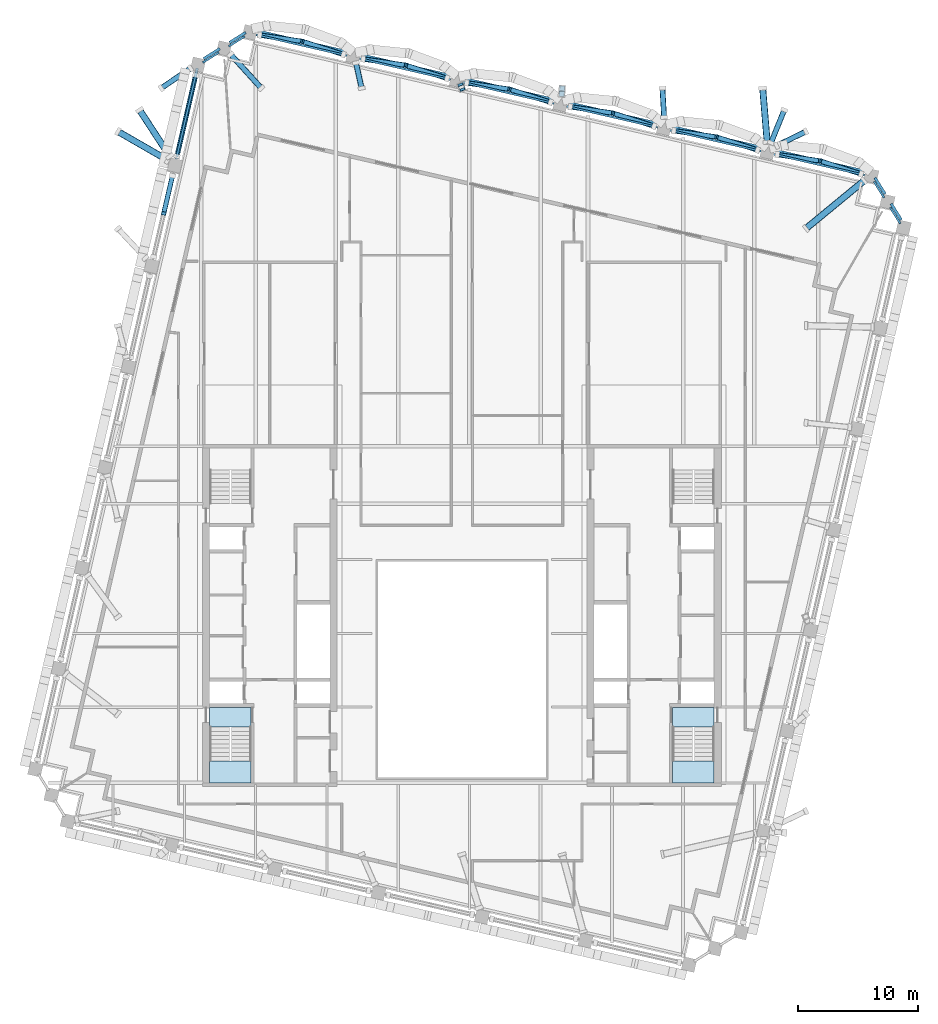
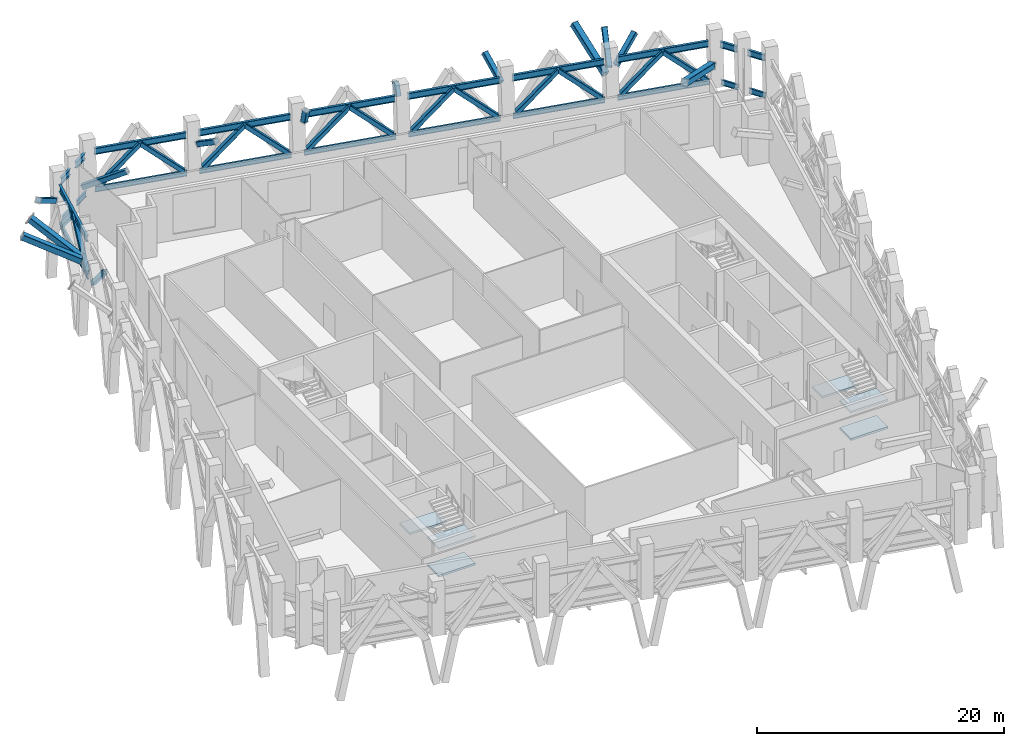
# One storey, part 4 of 19: 27 members, 22 beams, 6 slabs, 2 elements without a shape of their own.
"""IFC4 building model written with IfcOpenShell, lengths in metres."""

from ifc_helpers import new_model, si_unit, direction, frame, origin, origin_2d, place, context, subcontext, project, spatial, polyline, hollow_rectangle, i_section, outline, extrude, material, layer, layer_set, material_profile, profile_set, type_object, element, aggregate, save


model = new_model("IFC4")

# Units and contexts
model_context = context("Model", 3, precision=1e-05, world=origin(), true_north=direction((0.0, 1.0)))
body_context = subcontext(model_context, "Body", "Model", "MODEL_VIEW")
ifc_project = project(units=[si_unit("LENGTHUNIT", "METRE"), si_unit("AREAUNIT", "SQUARE_METRE"), si_unit("VOLUMEUNIT", "CUBIC_METRE"), si_unit("PLANEANGLEUNIT", "RADIAN"), si_unit("MASSUNIT", "GRAM", prefix="KILO")], contexts=[model_context])

# Site, building, storey
site_placement = place(None, origin())
site = spatial("IfcSite", under=ifc_project, at=site_placement, CompositionType="ELEMENT")
building_placement = place(site_placement, origin())
building = spatial("IfcBuilding", under=site, at=building_placement, Name="Ogive Exchange Tower", CompositionType="ELEMENT")
storey_placement = place(building_placement, frame((0.0, 0.0, 297.60009765625)))
storey = spatial("IfcBuildingStorey", under=building, at=storey_placement, Name="L65", CompositionType="ELEMENT", Elevation=297.60009765625)

# Beams
ifc_material_1 = material(Name="Steel ASTM A992 Gr50", Category="steel")
ifc_material_profile_1 = material_profile(ifc_material_1, i_section(OverallWidth=0.1669921875, OverallDepth=0.535888671875, WebThickness=0.01025390625, FlangeThickness=0.0166015625, at=origin_2d()), Name="W530x85")
ifc_profile_set_1 = profile_set([ifc_material_profile_1], Name="Steel ASTM A992 Gr50")
beam_type_1 = type_object("IfcBeamType", Name="Belt truss bottom chord W530x85", PredefinedType="BEAM", material=ifc_profile_set_1)
beam_1_placement = place(storey_placement, frame((36.5126953125, 44.126708984375, 0.39990234375), z_axis=(-0.529971331567, 0.848015558653, 0.0), x_axis=(-0.848015558653, -0.529971331567, 0.0)))
element("IfcBeam", 1, at=beam_1_placement, inside=storey, type_object=beam_type_1, Name="Belt truss bottom chord 16", PredefinedType="BEAM", context=body_context, shape_type="SweptSolid", body=[
    extrude(i_section(OverallWidth=0.1669921875, OverallDepth=0.535888671875, WebThickness=0.01025390625, FlangeThickness=0.0166015625, at=origin_2d()), origin(), (0.0, 0.0, 1.0), 1.58984375),
])
beam_2_placement = place(storey_placement, frame((35.163818359375, 46.285400390625, 0.39990234375), z_axis=(-0.529902320601, 0.848058683477, 0.0), x_axis=(-0.848058683477, -0.529902320601, 0.0)))
element("IfcBeam", 2, at=beam_2_placement, inside=storey, type_object=beam_type_1, Name="Belt truss bottom chord 17", PredefinedType="BEAM", context=body_context, shape_type="SweptSolid", body=[
    extrude(i_section(OverallWidth=0.1669921875, OverallDepth=0.535888671875, WebThickness=0.01025390625, FlangeThickness=0.0166015625, at=origin_2d()), origin(), (0.0, 0.0, 1.0), 1.590087890625),
])
beam_3_placement = place(storey_placement, frame((33.551513671875, 48.158203125, 0.39990234375), z_axis=(-0.974374818602, 0.224930462307, 0.0), x_axis=(-0.224930462307, -0.974374818602, 0.0)))
element("IfcBeam", 3, at=beam_3_placement, inside=storey, type_object=beam_type_1, Name="Belt truss bottom chord 18", PredefinedType="BEAM", context=body_context, shape_type="SweptSolid", body=[
    extrude(i_section(OverallWidth=0.1669921875, OverallDepth=0.535888671875, WebThickness=0.01025390625, FlangeThickness=0.0166015625, at=origin_2d()), origin(), (0.0, 0.0, 1.0), 7.7900390625),
])
beam_4_placement = place(storey_placement, frame((24.928466796875, 50.14892578125, 0.39990234375), z_axis=(-0.974369535382, 0.224953347431, 0.0), x_axis=(-0.224953347431, -0.974369535382, 0.0)))
element("IfcBeam", 4, at=beam_4_placement, inside=storey, type_object=beam_type_1, Name="Belt truss bottom chord 19", PredefinedType="BEAM", context=body_context, shape_type="SweptSolid", body=[
    extrude(i_section(OverallWidth=0.1669921875, OverallDepth=0.535888671875, WebThickness=0.01025390625, FlangeThickness=0.0166015625, at=origin_2d()), origin(), (0.0, 0.0, 1.0), 7.790283203125),
])
beam_5_placement = place(storey_placement, frame((16.30517578125, 52.139892578125, 0.39990234375), z_axis=(-0.974374818602, 0.224930462307, 0.0), x_axis=(-0.224930462307, -0.974374818602, 0.0)))
element("IfcBeam", 5, at=beam_5_placement, inside=storey, type_object=beam_type_1, Name="Belt truss bottom chord 20", PredefinedType="BEAM", context=body_context, shape_type="SweptSolid", body=[
    extrude(i_section(OverallWidth=0.1669921875, OverallDepth=0.535888671875, WebThickness=0.01025390625, FlangeThickness=0.0166015625, at=origin_2d()), origin(), (0.0, 0.0, 1.0), 7.7900390625),
])
beam_6_placement = place(storey_placement, frame((7.681884765625, 54.130615234375, 0.39990234375), z_axis=(-0.974366363305, 0.224967086616, 0.0), x_axis=(-0.224967086616, -0.974366363305, 0.0)))
element("IfcBeam", 6, at=beam_6_placement, inside=storey, type_object=beam_type_1, Name="Belt truss bottom chord 21", PredefinedType="BEAM", context=body_context, shape_type="SweptSolid", body=[
    extrude(i_section(OverallWidth=0.1669921875, OverallDepth=0.535888671875, WebThickness=0.01025390625, FlangeThickness=0.0166015625, at=origin_2d()), origin(), (0.0, 0.0, 1.0), 7.789794921875),
])
beam_7_placement = place(storey_placement, frame((-0.941162109375, 56.121337890625, 0.39990234375), z_axis=(-0.974367949416, 0.224960216819, 0.0), x_axis=(-0.224960216819, -0.974367949416, 0.0)))
element("IfcBeam", 7, at=beam_7_placement, inside=storey, type_object=beam_type_1, Name="Belt truss bottom chord 22", PredefinedType="BEAM", context=body_context, shape_type="SweptSolid", body=[
    extrude(i_section(OverallWidth=0.1669921875, OverallDepth=0.535888671875, WebThickness=0.01025390625, FlangeThickness=0.0166015625, at=origin_2d()), origin(), (0.0, 0.0, 1.0), 7.7900390625),
])
beam_8_placement = place(storey_placement, frame((-9.564208984375, 58.1123046875, 0.39990234375), z_axis=(-0.97437640416, 0.22492359373, 0.0), x_axis=(-0.22492359373, -0.97437640416, 0.0)))
element("IfcBeam", 8, at=beam_8_placement, inside=storey, type_object=beam_type_1, Name="Belt truss bottom chord 23", PredefinedType="BEAM", context=body_context, shape_type="SweptSolid", body=[
    extrude(i_section(OverallWidth=0.1669921875, OverallDepth=0.535888671875, WebThickness=0.01025390625, FlangeThickness=0.0166015625, at=origin_2d()), origin(), (0.0, 0.0, 1.0), 7.790283203125),
])
beam_9_placement = place(storey_placement, frame((-18.076416015625, 59.730712890625, 0.39990234375), z_axis=(-0.848015558653, -0.529971331567, 0.0), x_axis=(0.529971331567, -0.848015558653, 0.0)))
element("IfcBeam", 9, at=beam_9_placement, inside=storey, type_object=beam_type_1, Name="Belt truss bottom chord 24", PredefinedType="BEAM", context=body_context, shape_type="SweptSolid", body=[
    extrude(i_section(OverallWidth=0.1669921875, OverallDepth=0.535888671875, WebThickness=0.01025390625, FlangeThickness=0.0166015625, at=origin_2d()), origin(), (0.0, 0.0, 1.0), 1.58984375),
])
beam_10_placement = place(storey_placement, frame((-20.235107421875, 58.381591796875, 0.39990234375), z_axis=(-0.848058683477, -0.529902320601, 0.0), x_axis=(0.529902320601, -0.848058683477, 0.0)))
element("IfcBeam", 10, at=beam_10_placement, inside=storey, type_object=beam_type_1, Name="Belt truss bottom chord 25", PredefinedType="BEAM", context=body_context, shape_type="SweptSolid", body=[
    extrude(i_section(OverallWidth=0.1669921875, OverallDepth=0.535888671875, WebThickness=0.01025390625, FlangeThickness=0.0166015625, at=origin_2d()), origin(), (0.0, 0.0, 1.0), 1.590087890625),
])
beam_11_placement = place(storey_placement, frame((-22.10791015625, 56.76953125, 0.39990234375), z_axis=(-0.224947094069, -0.974370979078, 0.0), x_axis=(0.974370979078, -0.224947094069, 0.0)))
element("IfcBeam", 11, at=beam_11_placement, inside=storey, type_object=beam_type_1, Name="Belt truss bottom chord 26", PredefinedType="BEAM", context=body_context, shape_type="SweptSolid", body=[
    extrude(i_section(OverallWidth=0.1669921875, OverallDepth=0.535888671875, WebThickness=0.01025390625, FlangeThickness=0.0166015625, at=origin_2d()), origin(), (0.0, 0.0, 1.0), 7.5322265625),
])

# Members
ifc_material_2 = material(Name="Steel ASTM A1085 Gr A", Category="steel")
ifc_material_profile_2 = material_profile(ifc_material_2, hollow_rectangle(XDim=0.406005859375, YDim=0.406005859375, WallThickness=0.01904296875, InnerFilletRadius=0.01904296875, OuterFilletRadius=0.0380859375, at=origin_2d()), Name="HSS406.4x406.4x19")
ifc_profile_set_2 = profile_set([ifc_material_profile_2], Name="Steel ASTM A1085 Gr A")
member_type_1 = type_object("IfcMemberType", Name="Belt truss diagonal HSS406.4x406.4x19", PredefinedType="BRACE", material=ifc_profile_set_2)
for number, where, z_axis, x_axis, name in (
    (12, (33.25244140625, 48.25390625, 0.684814453125), (-0.705637433167, 0.225534263385, 0.67172174965), (-0.304445443278, -0.952529774898, 0.0), "Belt truss diagonal 18a"),
    (13, (26.27197265625, 49.865234375, 0.684814453125), (0.733103958664, -0.106576579343, 0.67171423874), (0.14386486188, 0.989597343123, 0.0), "Belt truss diagonal 18b"),
):
    element("IfcMember", number, at=place(storey_placement, frame(where, z_axis=z_axis, x_axis=x_axis)), inside=storey, type_object=member_type_1, Name=name, PredefinedType="BRACE", context=body_context, shape_type="SweptSolid", body=[
        extrude(hollow_rectangle(XDim=0.406005859375, YDim=0.406005859375, WallThickness=0.01904296875, InnerFilletRadius=0.01904296875, OuterFilletRadius=0.0380859375, at=origin_2d()), origin(), (0.0, 0.0, 1.0), 4.851806640625),
    ])
member_1_placement = place(storey_placement, frame((24.629150390625, 50.24462890625, 0.684814453125), z_axis=(-0.705604158126, 0.225590032868, 0.671737976525), x_axis=(-0.304526774275, -0.952503776239, 0.0)))
element("IfcMember", 14, at=member_1_placement, inside=storey, type_object=member_type_1, Name="Belt truss diagonal 19a", PredefinedType="BRACE", context=body_context, shape_type="SweptSolid", body=[
    extrude(hollow_rectangle(XDim=0.406005859375, YDim=0.406005859375, WallThickness=0.01904296875, InnerFilletRadius=0.01904296875, OuterFilletRadius=0.0380859375, at=origin_2d()), origin(), (0.0, 0.0, 1.0), 4.8515625),
])
member_2_placement = place(storey_placement, frame((17.648681640625, 51.856201171875, 0.684814453125), z_axis=(0.733127233066, -0.106572647882, 0.671689460138), x_axis=(0.143855192177, 0.989598748829, 0.0)))
element("IfcMember", 15, at=member_2_placement, inside=storey, type_object=member_type_1, Name="Belt truss diagonal 19b", PredefinedType="BRACE", context=body_context, shape_type="SweptSolid", body=[
    extrude(hollow_rectangle(XDim=0.406005859375, YDim=0.406005859375, WallThickness=0.01904296875, InnerFilletRadius=0.01904296875, OuterFilletRadius=0.0380859375, at=origin_2d()), origin(), (0.0, 0.0, 1.0), 4.85205078125),
])
for number, where, z_axis, x_axis, name in (
    (16, (16.006103515625, 52.2353515625, 0.684814453125), (-0.705629424211, 0.225582023015, 0.671714125636), (-0.304507071732, -0.952510075151, 0.0), "Belt truss diagonal 20a"),
    (17, (9.025634765625, 53.846923828125, 0.684814453125), (0.733103958664, -0.106576579343, 0.67171423874), (0.14386486188, 0.989597343123, 0.0), "Belt truss diagonal 20b"),
    (18, (7.3828125, 54.226318359375, 0.684814453125), (-0.705629424211, 0.225582023015, 0.671714125636), (-0.304507071732, -0.952510075151, 0.0), "Belt truss diagonal 21a"),
):
    element("IfcMember", number, at=place(storey_placement, frame(where, z_axis=z_axis, x_axis=x_axis)), inside=storey, type_object=member_type_1, Name=name, PredefinedType="BRACE", context=body_context, shape_type="SweptSolid", body=[
        extrude(hollow_rectangle(XDim=0.406005859375, YDim=0.406005859375, WallThickness=0.01904296875, InnerFilletRadius=0.01904296875, OuterFilletRadius=0.0380859375, at=origin_2d()), origin(), (0.0, 0.0, 1.0), 4.851806640625),
    ])
member_3_placement = place(storey_placement, frame((0.402587890625, 55.837890625, 0.684814453125), z_axis=(0.733080681686, -0.10658051097, 0.671739018385), x_axis=(0.14387453287, 0.989595937134, 0.0)))
element("IfcMember", 19, at=member_3_placement, inside=storey, type_object=member_type_1, Name="Belt truss diagonal 21b", PredefinedType="BRACE", context=body_context, shape_type="SweptSolid", body=[
    extrude(hollow_rectangle(XDim=0.406005859375, YDim=0.406005859375, WallThickness=0.01904296875, InnerFilletRadius=0.01904296875, OuterFilletRadius=0.0380859375, at=origin_2d()), origin(), (0.0, 0.0, 1.0), 4.8515625),
])
for number, where, z_axis, x_axis, name in (
    (20, (-1.240234375, 56.217041015625, 0.684814453125), (-0.705629424211, 0.225582023015, 0.671714125636), (-0.304507071732, -0.952510075151, 0.0), "Belt truss diagonal 22a"),
    (21, (-8.220703125, 57.82861328125, 0.684814453125), (0.733103958664, -0.106576579343, 0.67171423874), (0.14386486188, 0.989597343123, 0.0), "Belt truss diagonal 22b"),
    (22, (-9.863525390625, 58.2080078125, 0.684814453125), (-0.705637433167, 0.225534263385, 0.67172174965), (-0.304445443278, -0.952529774898, 0.0), "Belt truss diagonal 23a"),
    (23, (-16.843994140625, 59.8193359375, 0.684814453125), (0.733103958664, -0.106576579343, 0.67171423874), (0.14386486188, 0.989597343123, 0.0), "Belt truss diagonal 23b"),
):
    element("IfcMember", number, at=place(storey_placement, frame(where, z_axis=z_axis, x_axis=x_axis)), inside=storey, type_object=member_type_1, Name=name, PredefinedType="BRACE", context=body_context, shape_type="SweptSolid", body=[
        extrude(hollow_rectangle(XDim=0.406005859375, YDim=0.406005859375, WallThickness=0.01904296875, InnerFilletRadius=0.01904296875, OuterFilletRadius=0.0380859375, at=origin_2d()), origin(), (0.0, 0.0, 1.0), 4.851806640625),
    ])
member_4_placement = place(storey_placement, frame((-22.1708984375, 56.4970703125, 0.685791015625), z_axis=(-0.157265739947, -0.681395598727, 0.714819924928), x_axis=(0.974384740528, -0.224887477257, 0.0)))
element("IfcMember", 24, at=member_4_placement, inside=storey, type_object=member_type_1, Name="Belt truss diagonal 26a", PredefinedType="BRACE", context=body_context, shape_type="SweptSolid", body=[
    extrude(hollow_rectangle(XDim=0.406005859375, YDim=0.406005859375, WallThickness=0.01904296875, InnerFilletRadius=0.01904296875, OuterFilletRadius=0.0380859375, at=origin_2d()), origin(), (0.0, 0.0, 1.0), 4.557861328125),
])
member_5_placement = place(storey_placement, frame((-23.728759765625, 49.748291015625, 0.684326171875), z_axis=(0.169561855995, 0.734456317898, 0.657132173989), x_axis=(-0.974370281587, 0.224950115271, 0.0)))
element("IfcMember", 25, at=member_5_placement, inside=storey, type_object=member_type_1, Name="Belt truss diagonal 26b", PredefinedType="BRACE", context=body_context, shape_type="SweptSolid", body=[
    extrude(hollow_rectangle(XDim=0.406005859375, YDim=0.406005859375, WallThickness=0.01904296875, InnerFilletRadius=0.01904296875, OuterFilletRadius=0.0380859375, at=origin_2d()), origin(), (0.0, 0.0, 1.0), 4.960205078125),
])
member_6_placement = place(storey_placement, frame((-24.1044921875, 48.12158203125, 0.685791015625), z_axis=(-0.158322698999, -0.685976332804, 0.710190392651), x_axis=(0.974384825165, -0.224887110541, 0.0)))
element("IfcMember", 26, at=member_6_placement, inside=storey, type_object=member_type_1, Name="Belt truss diagonal 27a", PredefinedType="BRACE", context=body_context, shape_type="SweptSolid", body=[
    extrude(hollow_rectangle(XDim=0.406005859375, YDim=0.406005859375, WallThickness=0.01904296875, InnerFilletRadius=0.01904296875, OuterFilletRadius=0.0380859375, at=origin_2d()), origin(), (0.0, 0.0, 1.0), 4.587646484375),
])

# Beams
ifc_material_profile_3 = material_profile(ifc_material_1, i_section(OverallWidth=0.22900390625, OverallDepth=0.612060546875, WebThickness=0.011962890625, FlangeThickness=0.01953125, at=origin_2d()), Name="W610x125")
ifc_profile_set_3 = profile_set([ifc_material_profile_3], Name="Steel ASTM A992 Gr50")
beam_type_2 = type_object("IfcBeamType", Name="Belt truss top chord W610x125", PredefinedType="BEAM", material=ifc_profile_set_3)
beam_12_placement = place(storey_placement, frame((36.585205078125, 44.4404296875, 3.94384765625), z_axis=(-0.529902320601, 0.848058683477, 0.0), x_axis=(-0.848058683477, -0.529902320601, 0.0)))
element("IfcBeam", 27, at=beam_12_placement, inside=storey, type_object=beam_type_2, Name="Belt truss top chord 16", PredefinedType="BEAM", context=body_context, shape_type="SweptSolid", body=[
    extrude(i_section(OverallWidth=0.22900390625, OverallDepth=0.612060546875, WebThickness=0.011962890625, FlangeThickness=0.01953125, at=origin_2d()), origin(), (0.0, 0.0, 1.0), 1.590087890625),
])
beam_13_placement = place(storey_placement, frame((35.236083984375, 46.599365234375, 3.94384765625), z_axis=(-0.529971331567, 0.848015558653, 0.0), x_axis=(-0.848015558653, -0.529971331567, 0.0)))
element("IfcBeam", 28, at=beam_13_placement, inside=storey, type_object=beam_type_2, Name="Belt truss top chord 17", PredefinedType="BEAM", context=body_context, shape_type="SweptSolid", body=[
    extrude(i_section(OverallWidth=0.22900390625, OverallDepth=0.612060546875, WebThickness=0.011962890625, FlangeThickness=0.01953125, at=origin_2d()), origin(), (0.0, 0.0, 1.0), 1.58984375),
])
beam_14_placement = place(storey_placement, frame((33.6240234375, 48.47216796875, 3.94384765625), z_axis=(-0.974374818602, 0.224930462307, 0.0), x_axis=(-0.224930462307, -0.974374818602, 0.0)))
element("IfcBeam", 29, at=beam_14_placement, inside=storey, type_object=beam_type_2, Name="Belt truss top chord 18", PredefinedType="BEAM", context=body_context, shape_type="SweptSolid", body=[
    extrude(i_section(OverallWidth=0.22900390625, OverallDepth=0.612060546875, WebThickness=0.011962890625, FlangeThickness=0.01953125, at=origin_2d()), origin(), (0.0, 0.0, 1.0), 7.7900390625),
])
beam_15_placement = place(storey_placement, frame((25.0009765625, 50.462890625, 3.94384765625), z_axis=(-0.97437640416, 0.22492359373, 0.0), x_axis=(-0.22492359373, -0.97437640416, 0.0)))
element("IfcBeam", 30, at=beam_15_placement, inside=storey, type_object=beam_type_2, Name="Belt truss top chord 19", PredefinedType="BEAM", context=body_context, shape_type="SweptSolid", body=[
    extrude(i_section(OverallWidth=0.22900390625, OverallDepth=0.612060546875, WebThickness=0.011962890625, FlangeThickness=0.01953125, at=origin_2d()), origin(), (0.0, 0.0, 1.0), 7.790283203125),
])
beam_16_placement = place(storey_placement, frame((16.377685546875, 52.45361328125, 3.94384765625), z_axis=(-0.974367949416, 0.224960216819, 0.0), x_axis=(-0.224960216819, -0.974367949416, 0.0)))
element("IfcBeam", 31, at=beam_16_placement, inside=storey, type_object=beam_type_2, Name="Belt truss top chord 20", PredefinedType="BEAM", context=body_context, shape_type="SweptSolid", body=[
    extrude(i_section(OverallWidth=0.22900390625, OverallDepth=0.612060546875, WebThickness=0.011962890625, FlangeThickness=0.01953125, at=origin_2d()), origin(), (0.0, 0.0, 1.0), 7.7900390625),
])
beam_17_placement = place(storey_placement, frame((7.75439453125, 54.444580078125, 3.94384765625), z_axis=(-0.974366363305, 0.224967086616, 0.0), x_axis=(-0.224967086616, -0.974366363305, 0.0)))
element("IfcBeam", 32, at=beam_17_placement, inside=storey, type_object=beam_type_2, Name="Belt truss top chord 21", PredefinedType="BEAM", context=body_context, shape_type="SweptSolid", body=[
    extrude(i_section(OverallWidth=0.22900390625, OverallDepth=0.612060546875, WebThickness=0.011962890625, FlangeThickness=0.01953125, at=origin_2d()), origin(), (0.0, 0.0, 1.0), 7.789794921875),
])
beam_18_placement = place(storey_placement, frame((-0.86865234375, 56.435302734375, 3.94384765625), z_axis=(-0.974367949416, 0.224960216819, 0.0), x_axis=(-0.224960216819, -0.974367949416, 0.0)))
element("IfcBeam", 33, at=beam_18_placement, inside=storey, type_object=beam_type_2, Name="Belt truss top chord 22", PredefinedType="BEAM", context=body_context, shape_type="SweptSolid", body=[
    extrude(i_section(OverallWidth=0.22900390625, OverallDepth=0.612060546875, WebThickness=0.011962890625, FlangeThickness=0.01953125, at=origin_2d()), origin(), (0.0, 0.0, 1.0), 7.7900390625),
])
beam_19_placement = place(storey_placement, frame((-9.49169921875, 58.426025390625, 3.94384765625), z_axis=(-0.974369535382, 0.224953347431, 0.0), x_axis=(-0.224953347431, -0.974369535382, 0.0)))
element("IfcBeam", 34, at=beam_19_placement, inside=storey, type_object=beam_type_2, Name="Belt truss top chord 23", PredefinedType="BEAM", context=body_context, shape_type="SweptSolid", body=[
    extrude(i_section(OverallWidth=0.22900390625, OverallDepth=0.612060546875, WebThickness=0.011962890625, FlangeThickness=0.01953125, at=origin_2d()), origin(), (0.0, 0.0, 1.0), 7.790283203125),
])
for number, where, z_axis, x_axis, name in (
    (35, (-18.00390625, 60.04443359375, 3.94384765625), (-0.848058683477, -0.529902320601, 0.0), (0.529902320601, -0.848058683477, 0.0), "Belt truss top chord 24"),
    (36, (-20.16259765625, 58.695556640625, 3.94384765625), (-0.848058683477, -0.529902320601, 0.0), (0.529902320601, -0.848058683477, 0.0), "Belt truss top chord 25"),
):
    element("IfcBeam", number, at=place(storey_placement, frame(where, z_axis=z_axis, x_axis=x_axis)), inside=storey, type_object=beam_type_2, Name=name, PredefinedType="BEAM", context=body_context, shape_type="SweptSolid", body=[
        extrude(i_section(OverallWidth=0.22900390625, OverallDepth=0.612060546875, WebThickness=0.011962890625, FlangeThickness=0.01953125, at=origin_2d()), origin(), (0.0, 0.0, 1.0), 1.590087890625),
    ])
beam_20_placement = place(storey_placement, frame((-22.035400390625, 57.08349609375, 3.94384765625), z_axis=(-0.224932444649, -0.974374360985, 0.0), x_axis=(0.974374360985, -0.224932444649, 0.0)))
element("IfcBeam", 37, at=beam_20_placement, inside=storey, type_object=beam_type_2, Name="Belt truss top chord 26", PredefinedType="BEAM", context=body_context, shape_type="SweptSolid", body=[
    extrude(i_section(OverallWidth=0.22900390625, OverallDepth=0.612060546875, WebThickness=0.011962890625, FlangeThickness=0.01953125, at=origin_2d()), origin(), (0.0, 0.0, 1.0), 7.578125),
])

# Members
ifc_material_profile_4 = material_profile(ifc_material_2, hollow_rectangle(XDim=0.45703125, YDim=0.45703125, WallThickness=0.01904296875, InnerFilletRadius=0.01904296875, OuterFilletRadius=0.0380859375, at=origin_2d()), Name="HSS457.2x457.2x19")
ifc_profile_set_4 = profile_set([ifc_material_profile_4], Name="Steel ASTM A1085 Gr A")
member_type_2 = type_object("IfcMemberType", Name="Block-change strut HSS457.2x457.2x19", PredefinedType="STRUT", material=ifc_profile_set_4)
member_7_placement = place(storey_placement, frame((26.2138671875, 50.613525390625, 3.07568359375), z_axis=(0.764098153158, 0.37216982773, 0.526918999152), x_axis=(-0.437890384217, 0.899028370748, 0.0)))
element("IfcMember", 38, at=member_7_placement, inside=storey, type_object=member_type_2, Name="Block-change strut 15", PredefinedType="STRUT", context=body_context, shape_type="SweptSolid", body=[
    extrude(hollow_rectangle(XDim=0.45703125, YDim=0.45703125, WallThickness=0.01904296875, InnerFilletRadius=0.01904296875, OuterFilletRadius=0.0380859375, at=origin_2d()), origin(), (0.0, 0.0, 1.0), 3.1630859375),
])
member_8_placement = place(storey_placement, frame((16.83935546875, 52.97412109375, 3.2490234375), z_axis=(-0.048756784004, 0.84850587004, 0.526935066704), x_axis=(-0.998353140532, -0.057367297212, 0.0)))
element("IfcMember", 39, at=member_8_placement, inside=storey, type_object=member_type_2, Name="Block-change strut 17", PredefinedType="STRUT", context=body_context, shape_type="SweptSolid", body=[
    extrude(hollow_rectangle(XDim=0.45703125, YDim=0.45703125, WallThickness=0.01904296875, InnerFilletRadius=0.01904296875, OuterFilletRadius=0.0380859375, at=origin_2d()), origin(), (0.0, 0.0, 1.0), 2.834228515625),
])
member_9_placement = place(storey_placement, frame((8.314208984375, 54.93408203125, 3.688720703125), z_axis=(0.028324183797, 0.368017693639, 0.929387280837), x_axis=(-0.997051349977, 0.076737249811, 0.0)))
element("IfcMember", 40, at=member_9_placement, inside=storey, type_object=member_type_2, Name="Block-change strut 18", PredefinedType="STRUT", context=body_context, shape_type="SweptSolid", body=[
    extrude(hollow_rectangle(XDim=0.45703125, YDim=0.45703125, WallThickness=0.01904296875, InnerFilletRadius=0.01904296875, OuterFilletRadius=0.0380859375, at=origin_2d()), origin(), (0.0, 0.0, 1.0), 1.2412109375),
])
member_10_placement = place(storey_placement, frame((-0.072021484375, 55.580810546875, 3.7373046875), z_axis=(0.060495853314, -0.151762953817, 0.986563863914), x_axis=(0.928917849753, 0.370285873901, 0.0)))
element("IfcMember", 41, at=member_10_placement, inside=storey, type_object=member_type_2, Name="Block-change strut 19", PredefinedType="STRUT", context=body_context, shape_type="SweptSolid", body=[
    extrude(hollow_rectangle(XDim=0.45703125, YDim=0.45703125, WallThickness=0.01904296875, InnerFilletRadius=0.01904296875, OuterFilletRadius=0.0380859375, at=origin_2d()), origin(), (0.0, 0.0, 1.0), 1.166259765625),
])
member_11_placement = place(storey_placement, frame((-8.822509765625, 57.521484375, 3.407958984375), z_axis=(0.184807619176, -0.82956158738, 0.526947546382), x_axis=(0.976072158279, 0.217446871287, 0.0)))
element("IfcMember", 42, at=member_11_placement, inside=storey, type_object=member_type_2, Name="Block-change strut 20", PredefinedType="STRUT", context=body_context, shape_type="SweptSolid", body=[
    extrude(hollow_rectangle(XDim=0.45703125, YDim=0.45703125, WallThickness=0.01904296875, InnerFilletRadius=0.01904296875, OuterFilletRadius=0.0380859375, at=origin_2d()), origin(), (0.0, 0.0, 1.0), 2.532470703125),
])
member_12_placement = place(storey_placement, frame((-19.260986328125, 58.22705078125, 2.390625), z_axis=(0.57059180883, -0.629888282876, 0.52693997646), x_axis=(0.741130049781, 0.671361489298, 0.0)))
element("IfcMember", 43, at=member_12_placement, inside=storey, type_object=member_type_2, Name="Block-change strut 21", PredefinedType="STRUT", context=body_context, shape_type="SweptSolid", body=[
    extrude(hollow_rectangle(XDim=0.45703125, YDim=0.45703125, WallThickness=0.01904296875, InnerFilletRadius=0.01904296875, OuterFilletRadius=0.0380859375, at=origin_2d()), origin(), (0.0, 0.0, 1.0), 4.463134765625),
])
member_13_placement = place(storey_placement, frame((-22.5986328125, 57.060302734375, 2.920166015625), z_axis=(-0.703716354656, -0.476626825824, 0.526887237552), x_axis=(0.560780195443, -0.82796471688, 0.0)))
element("IfcMember", 44, at=member_13_placement, inside=storey, type_object=member_type_2, Name="Block-change strut 22", PredefinedType="STRUT", context=body_context, shape_type="SweptSolid", body=[
    extrude(hollow_rectangle(XDim=0.45703125, YDim=0.45703125, WallThickness=0.01904296875, InnerFilletRadius=0.01904296875, OuterFilletRadius=0.0380859375, at=origin_2d()), origin(), (0.0, 0.0, 1.0), 3.45849609375),
])
member_14_placement = place(storey_placement, frame((25.739990234375, 50.85498046875, 2.919921875), z_axis=(0.318618985653, 0.787936140196, 0.526914206446), x_axis=(-0.927072608375, 0.37488181978, 0.0)))
element("IfcMember", 45, at=member_14_placement, inside=storey, type_object=member_type_2, Name="Block-change strut 32", PredefinedType="STRUT", context=body_context, shape_type="SweptSolid", body=[
    extrude(hollow_rectangle(XDim=0.45703125, YDim=0.45703125, WallThickness=0.01904296875, InnerFilletRadius=0.01904296875, OuterFilletRadius=0.0380859375, at=origin_2d()), origin(), (0.0, 0.0, 1.0), 3.458740234375),
])
ifc_material_profile_5 = material_profile(ifc_material_2, hollow_rectangle(XDim=0.55908203125, YDim=0.55908203125, WallThickness=0.022216796875, InnerFilletRadius=0.022216796875, OuterFilletRadius=0.04443359375, at=origin_2d()), Name="HSS558.8x558.8x22.2")
ifc_profile_set_5 = profile_set([ifc_material_profile_5], Name="Steel ASTM A1085 Gr A")
member_type_3 = type_object("IfcMemberType", Name="Block-change strut HSS558.8x558.8x22.2", PredefinedType="STRUT", material=ifc_profile_set_5)
member_15_placement = place(storey_placement, frame((33.4931640625, 47.701171875, 2.297607421875), z_axis=(-0.721425515343, -0.59388752958, 0.356150007751), x_axis=(0.635562102838, -0.772049748032, 0.0)))
element("IfcMember", 46, at=member_15_placement, inside=storey, type_object=member_type_3, Name="Block-change strut 14", PredefinedType="STRUT", context=body_context, shape_type="SweptSolid", body=[
    extrude(hollow_rectangle(XDim=0.55908203125, YDim=0.55908203125, WallThickness=0.022216796875, InnerFilletRadius=0.022216796875, OuterFilletRadius=0.04443359375, at=origin_2d()), origin(), (0.0, 0.0, 1.0), 6.6884765625),
])
member_16_placement = place(storey_placement, frame((25.42431640625, 50.909423828125, 2.314697265625), z_axis=(-0.073412976534, 0.880522745415, 0.46828434704), x_axis=(-0.996542377954, -0.083086033369, 0.0)))
element("IfcMember", 47, at=member_16_placement, inside=storey, type_object=member_type_3, Name="Block-change strut 16", PredefinedType="STRUT", context=body_context, shape_type="SweptSolid", body=[
    extrude(hollow_rectangle(XDim=0.55908203125, YDim=0.55908203125, WallThickness=0.022216796875, InnerFilletRadius=0.022216796875, OuterFilletRadius=0.04443359375, at=origin_2d()), origin(), (0.0, 0.0, 1.0), 5.074951171875),
])
member_17_placement = place(storey_placement, frame((-24.502197265625, 49.411865234375, 2.31103515625), z_axis=(-0.77540592406, 0.446443055981, 0.446580620604), x_axis=(-0.498962112143, -0.866623799953, 0.0)))
element("IfcMember", 48, at=member_17_placement, inside=storey, type_object=member_type_3, Name="Block-change strut 23", PredefinedType="STRUT", context=body_context, shape_type="SweptSolid", body=[
    extrude(hollow_rectangle(XDim=0.55908203125, YDim=0.55908203125, WallThickness=0.022216796875, InnerFilletRadius=0.022216796875, OuterFilletRadius=0.04443359375, at=origin_2d()), origin(), (0.0, 0.0, 1.0), 5.32421875),
])
member_18_placement = place(storey_placement, frame((-24.3251953125, 49.728271484375, 2.31298828125), z_axis=(-0.485274170808, 0.74413106915, 0.45910557726), x_axis=(-0.837625378618, -0.546245114481, 0.0)))
element("IfcMember", 49, at=member_18_placement, inside=storey, type_object=member_type_3, Name="Block-change strut 33", PredefinedType="STRUT", context=body_context, shape_type="SweptSolid", body=[
    extrude(hollow_rectangle(XDim=0.55908203125, YDim=0.55908203125, WallThickness=0.022216796875, InnerFilletRadius=0.022216796875, OuterFilletRadius=0.04443359375, at=origin_2d()), origin(), (0.0, 0.0, 1.0), 5.177978515625),
])

# Stair, slabs
ifc_material_3 = material(Name="Concrete C40/50", Category="concrete")
stair_type = type_object("IfcStairType", Name="Exit stair 1650 wide", PredefinedType="HALF_TURN_STAIR", material=ifc_material_3)
stair_1_placement = place(storey_placement, origin())
stair_1 = element("IfcStair", 50, at=stair_1_placement, inside=storey, type_object=stair_type, Name="L65 exit stair ST1", PredefinedType="HALF_TURN_STAIR")
ifc_layer = layer(ifc_material_3, 0.199951171875)
ifc_layer_set = layer_set([ifc_layer], Name="Stair landing 200 slab")
slab_type = type_object("IfcSlabType", Name="Stair landing 200 slab", PredefinedType="LANDING", material=ifc_layer_set)
slab_1_placement = place(storey_placement, frame((0.0, 0.0, 1.14990234375)))
slab_1 = element("IfcSlab", 51, at=slab_1_placement, type_object=slab_type, Name="ST1 landing 1", PredefinedType="LANDING", context=body_context, shape_type="SweptSolid", body=[
    extrude(outline(polyline([(-21.0, -0.60791015625), (-21.0, -2.449951171875), (-17.550048828125, -2.449951171875), (-17.550048828125, -0.60791015625), (-21.0, -0.60791015625)])), origin(), (0.0, 0.0, 1.0), 0.199951171875),
])
slab_2_placement = place(storey_placement, frame((0.0, 0.0, 2.5)))
slab_2 = element("IfcSlab", 52, at=slab_2_placement, type_object=slab_type, Name="ST1 landing 2", PredefinedType="LANDING", context=body_context, shape_type="SweptSolid", body=[
    extrude(outline(polyline([(-21.0, 3.85009765625), (-21.0, 2.199951171875), (-17.550048828125, 2.199951171875), (-17.550048828125, 3.85009765625), (-21.0, 3.85009765625)])), origin(), (0.0, 0.0, 1.0), 0.199951171875),
])
slab_3_placement = place(storey_placement, frame((0.0, 0.0, 3.849853515625)))
slab_3 = element("IfcSlab", 53, at=slab_3_placement, type_object=slab_type, Name="ST1 landing 3", PredefinedType="LANDING", context=body_context, shape_type="SweptSolid", body=[
    extrude(outline(polyline([(-21.0, -0.60791015625), (-21.0, -2.449951171875), (-17.550048828125, -2.449951171875), (-17.550048828125, -0.60791015625), (-21.0, -0.60791015625)])), origin(), (0.0, 0.0, 1.0), 0.199951171875),
])
aggregate(stair_1, [slab_1, slab_2, slab_3])

stair_2_placement = place(storey_placement, origin())
stair_2 = element("IfcStair", 54, at=stair_2_placement, inside=storey, type_object=stair_type, Name="L65 exit stair ST3", PredefinedType="HALF_TURN_STAIR")
slab_4_placement = place(storey_placement, frame((0.0, 0.0, 1.14990234375)))
slab_4 = element("IfcSlab", 55, at=slab_4_placement, type_object=slab_type, Name="ST3 landing 1", PredefinedType="LANDING", context=body_context, shape_type="SweptSolid", body=[
    extrude(outline(polyline([(17.550048828125, -0.60791015625), (17.550048828125, -2.449951171875), (21.0, -2.449951171875), (21.0, -0.60791015625), (17.550048828125, -0.60791015625)])), origin(), (0.0, 0.0, 1.0), 0.199951171875),
])
slab_5_placement = place(storey_placement, frame((0.0, 0.0, 2.5)))
slab_5 = element("IfcSlab", 56, at=slab_5_placement, type_object=slab_type, Name="ST3 landing 2", PredefinedType="LANDING", context=body_context, shape_type="SweptSolid", body=[
    extrude(outline(polyline([(17.550048828125, 3.85009765625), (17.550048828125, 2.199951171875), (21.0, 2.199951171875), (21.0, 3.85009765625), (17.550048828125, 3.85009765625)])), origin(), (0.0, 0.0, 1.0), 0.199951171875),
])
slab_6_placement = place(storey_placement, frame((0.0, 0.0, 3.849853515625)))
slab_6 = element("IfcSlab", 57, at=slab_6_placement, type_object=slab_type, Name="ST3 landing 3", PredefinedType="LANDING", context=body_context, shape_type="SweptSolid", body=[
    extrude(outline(polyline([(17.550048828125, -0.60791015625), (17.550048828125, -2.449951171875), (21.0, -2.449951171875), (21.0, -0.60791015625), (17.550048828125, -0.60791015625)])), origin(), (0.0, 0.0, 1.0), 0.199951171875),
])
aggregate(stair_2, [slab_4, slab_5, slab_6])

save(model, "model.ifc")
